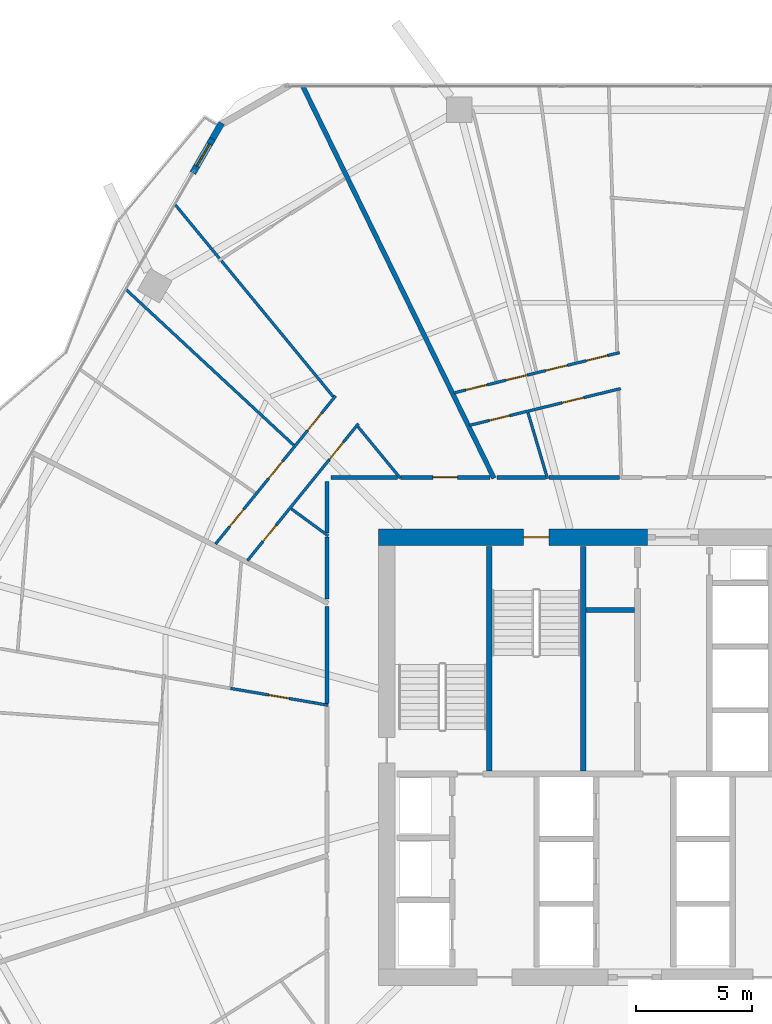
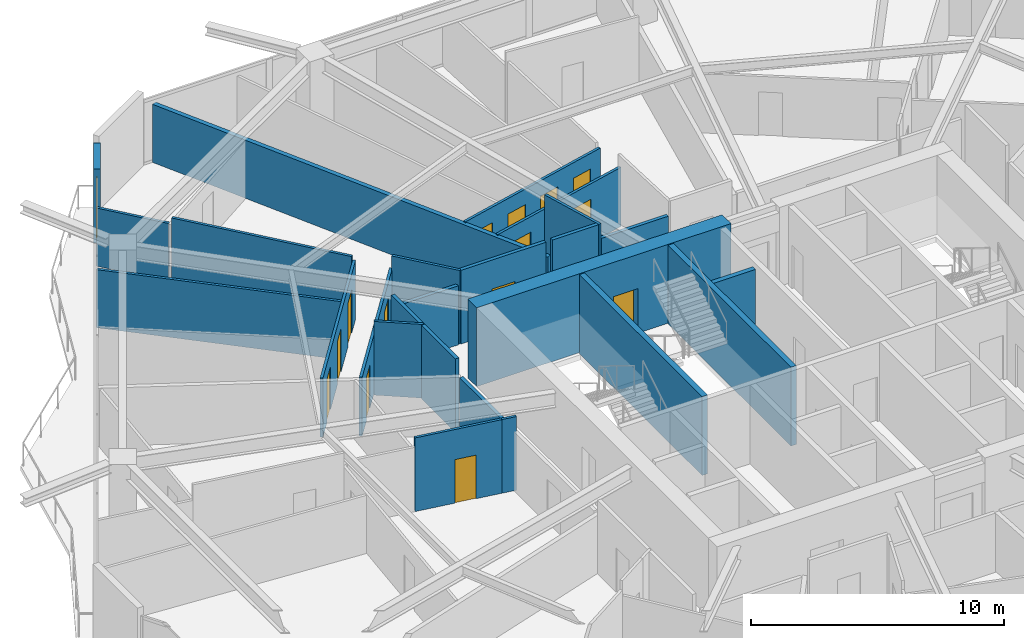
# One storey, part 26 of 32: 26 walls, 15 doors, 15 openings.
"""IFC4 building model written with IfcOpenShell, lengths in metres."""

from ifc_helpers import new_model, si_unit, direction, frame, frame_2d, origin, place, context, subcontext, project, spatial, rectangle, extrude, material, layer, layer_set, type_object, element, fill, save


model = new_model("IFC4")

# Units and contexts
model_context = context("Model", 3, precision=1e-05, world=origin(), true_north=direction((0.0, 1.0)))
body_context = subcontext(model_context, "Body", "Model", "MODEL_VIEW")
ifc_project = project(units=[si_unit("LENGTHUNIT", "METRE"), si_unit("AREAUNIT", "SQUARE_METRE"), si_unit("VOLUMEUNIT", "CUBIC_METRE"), si_unit("PLANEANGLEUNIT", "RADIAN"), si_unit("MASSUNIT", "GRAM", prefix="KILO")], contexts=[model_context])

# Site, building, storey
site_placement = place(None, origin())
site = spatial("IfcSite", under=ifc_project, at=site_placement, CompositionType="ELEMENT")
building_placement = place(site_placement, origin())
building = spatial("IfcBuilding", under=site, at=building_placement, Name="Zuhravey Tower", CompositionType="ELEMENT")
storey_placement = place(building_placement, frame((0.0, 0.0, 119.0)))
storey = spatial("IfcBuildingStorey", under=building, at=storey_placement, Name="L29", CompositionType="ELEMENT", Elevation=119.0)

# Wall, opening, door
ifc_material_1 = material(Name="Concrete C60/75", Category="concrete")
ifc_layer_1 = layer(ifc_material_1, 0.699951171875)
ifc_layer_set_1 = layer_set([ifc_layer_1], Name="Concrete C60/75")
wall_type_1 = type_object("IfcWallType", Name="Core Shear Wall 700", PredefinedType="SHEAR", material=ifc_layer_set_1)
wall_1_placement = place(storey_placement, frame((36.75, 41.5, 0.0), z_axis=(0.0, 0.0, 1.0), x_axis=(-1.0, 0.0, 0.0)))
wall_1 = element("IfcWall", 1, at=wall_1_placement, inside=storey, type_object=wall_type_1, Name="L29 North-West Core Shear Wall CW70", PredefinedType="SHEAR", context=body_context, shape_type="SweptSolid", body=[
    extrude(rectangle(XDim=11.60009765625, YDim=0.699951171875, at=frame_2d((5.800048828125, 0.0))), origin(), (0.0, 0.0, 1.0), 3.800048828125),
])
opening_1_placement = place(wall_1_placement, frame((4.25, 0.0, 0.0)))
opening_1 = element("IfcOpeningElement", 2, at=opening_1_placement, cuts=wall_1, Name="Opening STD1", PredefinedType="OPENING", context=body_context, shape_type="SweptSolid", body=[
    extrude(rectangle(XDim=1.10009765625, YDim=2.14990234375, at=frame_2d((0.550048828125, 1.074951171875))), frame((0.0, 0.362060546875, 0.0), z_axis=(0.0, -1.0, 0.0), x_axis=(1.0, 0.0, 0.0)), (0.0, 0.0, 1.0), 0.723876953125),
])
ifc_material_2 = material(Name="Galvanised fire-rated steel leaf", Category="steel")
door_type_1 = type_object("IfcDoorType", Name="Protected Stair Fire Door 1100x2150", OperationType="NOTDEFINED", PredefinedType="USERDEFINED", material=ifc_material_2)
door_1_placement = place(opening_1_placement, origin())
door_1 = element("IfcDoor", 3, at=door_1_placement, inside=storey, type_object=door_type_1, Name="L29 Stair ST3 Door", ObjectType="EXITDOOR", OperationType="SINGLE_SWING_LEFT", OverallHeight=2.14990234375, OverallWidth=1.10009765625, PredefinedType="USERDEFINED", context=body_context, shape_type="SweptSolid", body=[
    extrude(rectangle(XDim=1.10009765625, YDim=2.14990234375, at=frame_2d((0.550048828125, 1.074951171875))), frame((0.0, 0.02490234375, 0.0), z_axis=(0.0, -1.0, 0.0), x_axis=(1.0, 0.0, 0.0)), (0.0, 0.0, 1.0), 0.050048828125),
])
fill(opening_1, door_1)

ifc_material_3 = material(Name="Gypsum fire-rated stud partition")
ifc_layer_2 = layer(ifc_material_3, 0.159912109375)
ifc_layer_set_2 = layer_set([ifc_layer_2], Name="Gypsum fire-rated stud partition")
wall_type_2 = type_object("IfcWallType", Name="Corridor Fire Partition 160", PredefinedType="PARTITIONING", material=ifc_layer_set_2)
wall_2_placement = place(storey_placement, frame((29.954833984375, 44.080078125, 0.0), z_axis=(0.0, 0.0, 1.0), x_axis=(-1.0, 0.0, 0.0)))
wall_2 = element("IfcWall", 4, at=wall_2_placement, inside=storey, type_object=wall_type_2, Name="L29 IW16 Partition 032", PredefinedType="PARTITIONING", context=body_context, shape_type="SweptSolid", body=[
    extrude(rectangle(XDim=3.872802734375, YDim=0.159912109375, at=frame_2d((1.9365234375, 0.0))), origin(), (0.0, 0.0, 1.0), 3.550048828125),
])
opening_2_placement = place(wall_2_placement, frame((1.411376953125, 0.0, 0.0)))
opening_2 = element("IfcOpeningElement", 5, at=opening_2_placement, cuts=wall_2, Name="Opening APD1", PredefinedType="OPENING", context=body_context, shape_type="SweptSolid", body=[
    extrude(rectangle(XDim=1.050048828125, YDim=2.14990234375, at=frame_2d((0.52490234375, 1.074951171875))), frame((0.0, 0.092041015625, 0.0), z_axis=(0.0, -1.0, 0.0), x_axis=(1.0, 0.0, 0.0)), (0.0, 0.0, 1.0), 0.183837890625),
])
ifc_material_4 = material(Name="Solid-core oak fire-rated leaf")
door_type_2 = type_object("IfcDoorType", Name="Apartment Entrance Fire Door 1050x2150", OperationType="NOTDEFINED", PredefinedType="DOOR", material=ifc_material_4)
door_2_placement = place(opening_2_placement, frame((1.050048828125, 0.0, 0.0), z_axis=(0.0, 0.0, 1.0), x_axis=(-1.0, 0.0, 0.0)))
door_2 = element("IfcDoor", 6, at=door_2_placement, inside=storey, type_object=door_type_2, Name="L29 Door 032.1", OperationType="SINGLE_SWING_LEFT", OverallHeight=2.14990234375, OverallWidth=1.050048828125, PredefinedType="DOOR", context=body_context, shape_type="SweptSolid", body=[
    extrude(rectangle(XDim=1.050048828125, YDim=2.14990234375, at=frame_2d((0.52490234375, 1.074951171875))), frame((0.0, 0.02490234375, 0.0), z_axis=(0.0, -1.0, 0.0), x_axis=(1.0, 0.0, 0.0)), (0.0, 0.0, 1.0), 0.050048828125),
])
fill(opening_2, door_2)

# Walls
wall_3_placement = place(storey_placement, frame((35.548095703125, 44.080078125, 0.0), z_axis=(0.0, 0.0, 1.0), x_axis=(-1.0, 0.0, 0.0)))
element("IfcWall", 7, at=wall_3_placement, inside=storey, type_object=wall_type_2, Name="L29 IW16 Partition 116", PredefinedType="PARTITIONING", context=body_context, shape_type="SweptSolid", body=[
    extrude(rectangle(XDim=3.055908203125, YDim=0.159912109375, at=frame_2d((1.52783203125, 0.0))), origin(), (0.0, 0.0, 1.0), 2.85009765625),
])
wall_4_placement = place(storey_placement, frame((32.3505859375, 44.080078125, 0.0), z_axis=(0.0, 0.0, 1.0), x_axis=(-1.0, 0.0, 0.0)))
element("IfcWall", 8, at=wall_4_placement, inside=storey, type_object=wall_type_2, Name="L29 IW16 Partition 117", PredefinedType="PARTITIONING", context=body_context, shape_type="SweptSolid", body=[
    extrude(rectangle(XDim=2.09033203125, YDim=0.159912109375, at=frame_2d((1.045166015625, 0.0))), origin(), (0.0, 0.0, 1.0), 3.550048828125),
])
wall_5_placement = place(storey_placement, frame((25.968017578125, 44.080078125, 0.0), z_axis=(0.0, 0.0, 1.0), x_axis=(-1.0, 0.0, 0.0)))
element("IfcWall", 9, at=wall_5_placement, inside=storey, type_object=wall_type_2, Name="L29 IW16 Partition 118", PredefinedType="PARTITIONING", context=body_context, shape_type="SweptSolid", body=[
    extrude(rectangle(XDim=2.867919921875, YDim=0.159912109375, at=frame_2d((1.43408203125, 0.0))), origin(), (0.0, 0.0, 1.0), 2.85009765625),
])
wall_6_placement = place(storey_placement, frame((22.919921875, 43.89990234375, 0.0), z_axis=(0.0, 0.0, 1.0), x_axis=(0.0, -1.0, 0.0)))
element("IfcWall", 10, at=wall_6_placement, inside=storey, type_object=wall_type_2, Name="L29 IW16 Partition 119", PredefinedType="PARTITIONING", context=body_context, shape_type="SweptSolid", body=[
    extrude(rectangle(XDim=2.22314453125, YDim=0.159912109375, at=frame_2d((1.111572265625, 0.0))), origin(), (0.0, 0.0, 1.0), 3.550048828125),
])
wall_7_placement = place(storey_placement, frame((22.919921875, 41.508056640625, 0.0), z_axis=(0.0, 0.0, 1.0), x_axis=(0.0, -1.0, 0.0)))
element("IfcWall", 11, at=wall_7_placement, inside=storey, type_object=wall_type_2, Name="L29 IW16 Partition 120", PredefinedType="PARTITIONING", context=body_context, shape_type="SweptSolid", body=[
    extrude(rectangle(XDim=2.676513671875, YDim=0.159912109375, at=frame_2d((1.33837890625, 0.0))), origin(), (0.0, 0.0, 1.0), 3.550048828125),
])
wall_8_placement = place(storey_placement, frame((22.919921875, 38.4990234375, 0.0), z_axis=(0.0, 0.0, 1.0), x_axis=(0.0, -1.0, 0.0)))
element("IfcWall", 12, at=wall_8_placement, inside=storey, type_object=wall_type_2, Name="L29 IW16 Partition 121", PredefinedType="PARTITIONING", context=body_context, shape_type="SweptSolid", body=[
    extrude(rectangle(XDim=4.175537109375, YDim=0.159912109375, at=frame_2d((2.087890625, 0.0))), origin(), (0.0, 0.0, 1.0), 2.85009765625),
])

# Wall, opening, door
ifc_material_5 = material(Name="Precast concrete C40/50", Category="concrete")
ifc_layer_3 = layer(ifc_material_5, 0.280029296875)
ifc_layer_set_3 = layer_set([ifc_layer_3], Name="Precast concrete C40/50")
wall_type_3 = type_object("IfcWallType", Name="Crown Architectural Wall 280", PredefinedType="SOLIDWALL", material=ifc_layer_set_3)
wall_9_placement = place(storey_placement, frame((17.12353515625, 57.2216796875, 0.0), z_axis=(0.0, 0.0, 1.0), x_axis=(0.499923131819, 0.866069779101, 0.0)))
wall_9 = element("IfcWall", 13, at=wall_9_placement, inside=storey, type_object=wall_type_3, Name="L29 Face 3 Facade Pier EW28-1", PredefinedType="SOLIDWALL", context=body_context, shape_type="SweptSolid", body=[
    extrude(rectangle(XDim=1.790283203125, YDim=0.280029296875, at=frame_2d((0.89501953125, 0.0))), origin(), (0.0, 0.0, 1.0), 3.550048828125),
])
opening_3_placement = place(wall_9_placement, frame((0.344970703125, 0.0, 0.0)))
opening_3 = element("IfcOpeningElement", 14, at=opening_3_placement, cuts=wall_9, Name="Opening BLD1", PredefinedType="OPENING", context=body_context, shape_type="SweptSolid", body=[
    extrude(rectangle(XDim=1.10009765625, YDim=2.199951171875, at=frame_2d((0.550048828125, 1.10009765625))), frame((0.0, 0.152099609375, 0.0), z_axis=(0.0, -1.0, 0.0), x_axis=(1.0, 0.0, 0.0)), (0.0, 0.0, 1.0), 0.303955078125),
])
ifc_material_6 = material(Name="Thermally broken aluminium and low-E glass", Category="aluminium")
door_type_3 = type_object("IfcDoorType", Name="Balcony & Sky-Tray Glazed Door 1100x2200", OperationType="NOTDEFINED", PredefinedType="DOOR", material=ifc_material_6)
door_3_placement = place(opening_3_placement, frame((1.10009765625, 0.0, 0.0), z_axis=(0.0, 0.0, 1.0), x_axis=(-1.0, 0.0, 0.0)))
door_3 = element("IfcDoor", 15, at=door_3_placement, inside=storey, type_object=door_type_3, Name="L29 Face 3 Wave Balcony Door", OperationType="SINGLE_SWING_RIGHT", OverallHeight=2.199951171875, OverallWidth=1.10009765625, PredefinedType="DOOR", context=body_context, shape_type="SweptSolid", body=[
    extrude(rectangle(XDim=1.10009765625, YDim=2.199951171875, at=frame_2d((0.550048828125, 1.10009765625))), frame((0.0, 0.02490234375, 0.0), z_axis=(0.0, -1.0, 0.0), x_axis=(1.0, 0.0, 0.0)), (0.0, 0.0, 1.0), 0.050048828125),
])
fill(opening_3, door_3)

# Walls
wall_10_placement = place(storey_placement, frame((17.973388671875, 58.694091796875, 0.0), z_axis=(0.0, 0.0, 1.0), x_axis=(0.499927510798, 0.8660672514, 0.0)))
element("IfcWall", 16, at=wall_10_placement, inside=storey, type_object=wall_type_3, Name="L29 Face 3 Closure Pier EW28", PredefinedType="SOLIDWALL", context=body_context, shape_type="SweptSolid", body=[
    extrude(rectangle(XDim=0.7900390625, YDim=0.280029296875, at=frame_2d((0.39501953125, 0.0))), origin(), (0.0, 0.0, 1.0), 3.1220703125),
])
ifc_material_7 = material(Name="Concrete C50/60", Category="concrete")
ifc_layer_4 = layer(ifc_material_7, 0.25)
ifc_layer_set_4 = layer_set([ifc_layer_4], Name="Concrete C50/60")
wall_type_4 = type_object("IfcWallType", Name="Firefighting Shaft & Stair Wall 250", PredefinedType="SOLIDWALL", material=ifc_layer_set_4)
for number, where, z_axis, x_axis, name in (
    (17, (29.925048828125, 31.39990234375, 0.0), (0.0, 0.0, 1.0), (0.0, 1.0, 0.0), "L29 FW25 Shaft Wall 004"),
    (18, (33.97509765625, 31.39990234375, 0.0), (0.0, 0.0, 1.0), (0.0, 1.0, 0.0), "L29 FW25 Shaft Wall 005"),
):
    element("IfcWall", number, at=place(storey_placement, frame(where, z_axis=z_axis, x_axis=x_axis)), inside=storey, type_object=wall_type_4, Name=name, PredefinedType="SOLIDWALL", context=body_context, shape_type="SweptSolid", body=[
        extrude(rectangle(XDim=9.7001953125, YDim=0.25, at=frame_2d((4.85009765625, 0.0))), origin(), (0.0, 0.0, 1.0), 3.800048828125),
    ])
ifc_material_8 = material(Name="Gypsum double-stud party assembly")
ifc_layer_5 = layer(ifc_material_8, 0.199951171875)
ifc_layer_set_5 = layer_set([ifc_layer_5], Name="Gypsum double-stud party assembly")
wall_type_5 = type_object("IfcWallType", Name="Inter-Tenancy Party Wall 200", PredefinedType="PARTITIONING", material=ifc_layer_set_5)
wall_11_placement = place(storey_placement, frame((30.127685546875, 44.0400390625, 0.0), z_axis=(0.0, 0.0, 1.0), x_axis=(-0.438372268699, 0.898793499106, 0.0)))
element("IfcWall", 19, at=wall_11_placement, inside=storey, type_object=wall_type_5, Name="L29 IW20 Partition 080", PredefinedType="PARTITIONING", context=body_context, shape_type="SweptSolid", body=[
    extrude(rectangle(XDim=18.823486328125, YDim=0.199951171875, at=frame_2d((9.41162109375, 0.0))), origin(), (0.0, 0.0, 1.0), 2.800048828125),
])
ifc_material_9 = material(Name="Gypsum acoustic stud assembly")
ifc_layer_6 = layer(ifc_material_9, 0.219970703125)
ifc_layer_set_6 = layer_set([ifc_layer_6], Name="Gypsum acoustic stud assembly")
wall_type_6 = type_object("IfcWallType", Name="School Acoustic Compartment Wall 220", PredefinedType="PARTITIONING", material=ifc_layer_set_6)
wall_12_placement = place(storey_placement, frame((34.10791015625, 38.35009765625, 0.0), z_axis=(0.0, 0.0, 1.0), x_axis=(1.0, 0.0, 0.0)))
element("IfcWall", 20, at=wall_12_placement, inside=storey, type_object=wall_type_6, Name="L29 IW22 Partition 059", PredefinedType="PARTITIONING", context=body_context, shape_type="SweptSolid", body=[
    extrude(rectangle(XDim=2.083984375, YDim=0.219970703125, at=frame_2d((1.0419921875, 0.0))), origin(), (0.0, 0.0, 1.0), 3.550048828125),
])

# Wall, openings, doors
ifc_material_10 = material(Name="Gypsum metal-stud partition")
ifc_layer_7 = layer(ifc_material_10, 0.1201171875)
ifc_layer_set_7 = layer_set([ifc_layer_7], Name="Gypsum metal-stud partition")
wall_type_7 = type_object("IfcWallType", Name="Unit Internal Partition 120", PredefinedType="PARTITIONING", material=ifc_layer_set_7)
wall_13_placement = place(storey_placement, frame((35.594482421875, 47.913818359375, 0.0), z_axis=(0.0, 0.0, 1.0), x_axis=(-0.971707679159, -0.236186761404, 0.0)))
wall_13 = element("IfcWall", 21, at=wall_13_placement, inside=storey, type_object=wall_type_7, Name="L29 IW12 Partition 026", PredefinedType="PARTITIONING", context=body_context, shape_type="SweptSolid", body=[
    extrude(rectangle(XDim=6.728271484375, YDim=0.1201171875, at=frame_2d((3.3642578125, 0.0))), origin(), (0.0, 0.0, 1.0), 2.85009765625),
])
opening_4_placement = place(wall_13_placement, frame((1.644287109375, 0.0, 0.0)))
opening_4 = element("IfcOpeningElement", 22, at=opening_4_placement, cuts=wall_13, Name="Opening IND1", PredefinedType="OPENING", context=body_context, shape_type="SweptSolid", body=[
    extrude(rectangle(XDim=0.949951171875, YDim=2.10009765625, at=frame_2d((0.47509765625, 1.050048828125))), frame((0.0, 0.072021484375, 0.0), z_axis=(0.0, -1.0, 0.0), x_axis=(1.0, 0.0, 0.0)), (0.0, 0.0, 1.0), 0.14404296875),
])
opening_5_placement = place(wall_13_placement, frame((4.930908203125, 0.0, 0.0)))
opening_5 = element("IfcOpeningElement", 23, at=opening_5_placement, cuts=wall_13, Name="Opening WCD1", PredefinedType="OPENING", context=body_context, shape_type="SweptSolid", body=[
    extrude(rectangle(XDim=0.89990234375, YDim=2.10009765625, at=frame_2d((0.449951171875, 1.050048828125))), frame((0.0, 0.072021484375, 0.0), z_axis=(0.0, -1.0, 0.0), x_axis=(1.0, 0.0, 0.0)), (0.0, 0.0, 1.0), 0.14404296875),
])
ifc_material_11 = material(Name="Moisture-resistant timber leaf", Category="wood")
door_type_4 = type_object("IfcDoorType", Name="Bathroom & WC Internal Door 900x2100", OperationType="NOTDEFINED", PredefinedType="DOOR", material=ifc_material_11)
door_4_placement = place(opening_5_placement, origin())
door_4 = element("IfcDoor", 24, at=door_4_placement, inside=storey, type_object=door_type_4, Name="Apartment L29-02 Bathroom Door", OperationType="SINGLE_SWING_LEFT", OverallHeight=2.10009765625, OverallWidth=0.89990234375, PredefinedType="DOOR", context=body_context, shape_type="SweptSolid", body=[
    extrude(rectangle(XDim=0.89990234375, YDim=2.10009765625, at=frame_2d((0.449951171875, 1.050048828125))), frame((0.0, 0.02490234375, 0.0), z_axis=(0.0, -1.0, 0.0), x_axis=(1.0, 0.0, 0.0)), (0.0, 0.0, 1.0), 0.050048828125),
])
fill(opening_5, door_4)
ifc_material_12 = material(Name="Painted engineered timber leaf", Category="wood")
door_type_5 = type_object("IfcDoorType", Name="Internal Room & Bedroom Door 950x2100", OperationType="NOTDEFINED", PredefinedType="DOOR", material=ifc_material_12)
door_5_placement = place(opening_4_placement, origin())
door_5 = element("IfcDoor", 25, at=door_5_placement, inside=storey, type_object=door_type_5, Name="Apartment L29-02 Kitchen Door", OperationType="SINGLE_SWING_RIGHT", OverallHeight=2.10009765625, OverallWidth=0.949951171875, PredefinedType="DOOR", context=body_context, shape_type="SweptSolid", body=[
    extrude(rectangle(XDim=0.949951171875, YDim=2.10009765625, at=frame_2d((0.47509765625, 1.050048828125))), frame((0.0, 0.02490234375, 0.0), z_axis=(0.0, -1.0, 0.0), x_axis=(1.0, 0.0, 0.0)), (0.0, 0.0, 1.0), 0.050048828125),
])
fill(opening_4, door_5)

wall_14_placement = place(storey_placement, frame((35.545166015625, 49.466064453125, 0.0), z_axis=(0.0, 0.0, 1.0), x_axis=(-0.971712641416, -0.236166345002, 0.0)))
wall_14 = element("IfcWall", 26, at=wall_14_placement, inside=storey, type_object=wall_type_7, Name="L29 IW12 Partition 027", PredefinedType="PARTITIONING", context=body_context, shape_type="SweptSolid", body=[
    extrude(rectangle(XDim=7.365478515625, YDim=0.1201171875, at=frame_2d((3.6826171875, 0.0))), origin(), (0.0, 0.0, 1.0), 2.85009765625),
])
opening_6_placement = place(wall_14_placement, frame((0.531005859375, 0.0, 0.0)))
opening_6 = element("IfcOpeningElement", 27, at=opening_6_placement, cuts=wall_14, Name="Opening IND1", PredefinedType="OPENING", context=body_context, shape_type="SweptSolid", body=[
    extrude(rectangle(XDim=0.949951171875, YDim=2.10009765625, at=frame_2d((0.47509765625, 1.050048828125))), frame((0.0, 0.072021484375, 0.0), z_axis=(0.0, -1.0, 0.0), x_axis=(1.0, 0.0, 0.0)), (0.0, 0.0, 1.0), 0.14404296875),
])
opening_7_placement = place(wall_14_placement, frame((2.322021484375, 0.0, 0.0)))
opening_7 = element("IfcOpeningElement", 28, at=opening_7_placement, cuts=wall_14, Name="Opening IND1", PredefinedType="OPENING", context=body_context, shape_type="SweptSolid", body=[
    extrude(rectangle(XDim=0.949951171875, YDim=2.10009765625, at=frame_2d((0.47509765625, 1.050048828125))), frame((0.0, 0.072021484375, 0.0), z_axis=(0.0, -1.0, 0.0), x_axis=(1.0, 0.0, 0.0)), (0.0, 0.0, 1.0), 0.14404296875),
])
opening_8_placement = place(wall_14_placement, frame((4.093505859375, 0.0, 0.0)))
opening_8 = element("IfcOpeningElement", 29, at=opening_8_placement, cuts=wall_14, Name="Opening IND1", PredefinedType="OPENING", context=body_context, shape_type="SweptSolid", body=[
    extrude(rectangle(XDim=0.949951171875, YDim=2.10009765625, at=frame_2d((0.47509765625, 1.050048828125))), frame((0.0, 0.072021484375, 0.0), z_axis=(0.0, -1.0, 0.0), x_axis=(1.0, 0.0, 0.0)), (0.0, 0.0, 1.0), 0.14404296875),
])
opening_9_placement = place(wall_14_placement, frame((5.884521484375, 0.0, 0.0)))
opening_9 = element("IfcOpeningElement", 30, at=opening_9_placement, cuts=wall_14, Name="Opening IND1", PredefinedType="OPENING", context=body_context, shape_type="SweptSolid", body=[
    extrude(rectangle(XDim=0.949951171875, YDim=2.10009765625, at=frame_2d((0.47509765625, 1.050048828125))), frame((0.0, 0.072021484375, 0.0), z_axis=(0.0, -1.0, 0.0), x_axis=(1.0, 0.0, 0.0)), (0.0, 0.0, 1.0), 0.14404296875),
])
door_6_placement = place(opening_6_placement, frame((0.949951171875, 0.0, 0.0), z_axis=(0.0, 0.0, 1.0), x_axis=(-1.0, 0.0, 0.0)))
door_6 = element("IfcDoor", 31, at=door_6_placement, inside=storey, type_object=door_type_5, Name="Apartment L29-02 Bedroom 1 Door", OperationType="SINGLE_SWING_RIGHT", OverallHeight=2.10009765625, OverallWidth=0.949951171875, PredefinedType="DOOR", context=body_context, shape_type="SweptSolid", body=[
    extrude(rectangle(XDim=0.949951171875, YDim=2.10009765625, at=frame_2d((0.47509765625, 1.050048828125))), frame((0.0, 0.02490234375, 0.0), z_axis=(0.0, -1.0, 0.0), x_axis=(1.0, 0.0, 0.0)), (0.0, 0.0, 1.0), 0.050048828125),
])
fill(opening_6, door_6)
door_7_placement = place(opening_7_placement, frame((0.949951171875, 0.0, 0.0), z_axis=(0.0, 0.0, 1.0), x_axis=(-1.0, 0.0, 0.0)))
door_7 = element("IfcDoor", 32, at=door_7_placement, inside=storey, type_object=door_type_5, Name="Apartment L29-02 Bedroom 2 Door", OperationType="SINGLE_SWING_LEFT", OverallHeight=2.10009765625, OverallWidth=0.949951171875, PredefinedType="DOOR", context=body_context, shape_type="SweptSolid", body=[
    extrude(rectangle(XDim=0.949951171875, YDim=2.10009765625, at=frame_2d((0.47509765625, 1.050048828125))), frame((0.0, 0.02490234375, 0.0), z_axis=(0.0, -1.0, 0.0), x_axis=(1.0, 0.0, 0.0)), (0.0, 0.0, 1.0), 0.050048828125),
])
fill(opening_7, door_7)
door_8_placement = place(opening_8_placement, frame((0.949951171875, 0.0, 0.0), z_axis=(0.0, 0.0, 1.0), x_axis=(-1.0, 0.0, 0.0)))
door_8 = element("IfcDoor", 33, at=door_8_placement, inside=storey, type_object=door_type_5, Name="Apartment L29-02 Bedroom 3 Door", OperationType="SINGLE_SWING_RIGHT", OverallHeight=2.10009765625, OverallWidth=0.949951171875, PredefinedType="DOOR", context=body_context, shape_type="SweptSolid", body=[
    extrude(rectangle(XDim=0.949951171875, YDim=2.10009765625, at=frame_2d((0.47509765625, 1.050048828125))), frame((0.0, 0.02490234375, 0.0), z_axis=(0.0, -1.0, 0.0), x_axis=(1.0, 0.0, 0.0)), (0.0, 0.0, 1.0), 0.050048828125),
])
fill(opening_8, door_8)
door_9_placement = place(opening_9_placement, frame((0.949951171875, 0.0, 0.0), z_axis=(0.0, 0.0, 1.0), x_axis=(-1.0, 0.0, 0.0)))
door_9 = element("IfcDoor", 34, at=door_9_placement, inside=storey, type_object=door_type_5, Name="Apartment L29-02 Bedroom 4 Door", OperationType="SINGLE_SWING_LEFT", OverallHeight=2.10009765625, OverallWidth=0.949951171875, PredefinedType="DOOR", context=body_context, shape_type="SweptSolid", body=[
    extrude(rectangle(XDim=0.949951171875, YDim=2.10009765625, at=frame_2d((0.47509765625, 1.050048828125))), frame((0.0, 0.02490234375, 0.0), z_axis=(0.0, -1.0, 0.0), x_axis=(1.0, 0.0, 0.0)), (0.0, 0.0, 1.0), 0.050048828125),
])
fill(opening_9, door_9)

wall_15_placement = place(storey_placement, frame((24.274658203125, 46.401611328125, 0.0), z_axis=(0.0, 0.0, 1.0), x_axis=(-0.629602187024, -0.776917682959, 0.0)))
wall_15 = element("IfcWall", 35, at=wall_15_placement, inside=storey, type_object=wall_type_7, Name="L29 IW12 Partition 030", PredefinedType="PARTITIONING", context=body_context, shape_type="SweptSolid", body=[
    extrude(rectangle(XDim=7.613525390625, YDim=0.1201171875, at=frame_2d((3.806640625, 0.0))), origin(), (0.0, 0.0, 1.0), 2.85009765625),
])
opening_10_placement = place(wall_15_placement, frame((1.038330078125, 0.0, 0.0)))
opening_10 = element("IfcOpeningElement", 36, at=opening_10_placement, cuts=wall_15, Name="Opening IND1", PredefinedType="OPENING", context=body_context, shape_type="SweptSolid", body=[
    extrude(rectangle(XDim=0.949951171875, YDim=2.10009765625, at=frame_2d((0.47509765625, 1.050048828125))), frame((0.0, 0.072021484375, 0.0), z_axis=(0.0, -1.0, 0.0), x_axis=(1.0, 0.0, 0.0)), (0.0, 0.0, 1.0), 0.14404296875),
])
opening_11_placement = place(wall_15_placement, frame((5.648193359375, 0.0, 0.0)))
opening_11 = element("IfcOpeningElement", 37, at=opening_11_placement, cuts=wall_15, Name="Opening WCD1", PredefinedType="OPENING", context=body_context, shape_type="SweptSolid", body=[
    extrude(rectangle(XDim=0.89990234375, YDim=2.10009765625, at=frame_2d((0.449951171875, 1.050048828125))), frame((0.0, 0.072021484375, 0.0), z_axis=(0.0, -1.0, 0.0), x_axis=(1.0, 0.0, 0.0)), (0.0, 0.0, 1.0), 0.14404296875),
])
door_10_placement = place(opening_11_placement, origin())
door_10 = element("IfcDoor", 38, at=door_10_placement, inside=storey, type_object=door_type_4, Name="Apartment L29-03 Bathroom Door", OperationType="SINGLE_SWING_LEFT", OverallHeight=2.10009765625, OverallWidth=0.89990234375, PredefinedType="DOOR", context=body_context, shape_type="SweptSolid", body=[
    extrude(rectangle(XDim=0.89990234375, YDim=2.10009765625, at=frame_2d((0.449951171875, 1.050048828125))), frame((0.0, 0.02490234375, 0.0), z_axis=(0.0, -1.0, 0.0), x_axis=(1.0, 0.0, 0.0)), (0.0, 0.0, 1.0), 0.050048828125),
])
fill(opening_11, door_10)
door_11_placement = place(opening_10_placement, origin())
door_11 = element("IfcDoor", 39, at=door_11_placement, inside=storey, type_object=door_type_5, Name="Apartment L29-03 Kitchen Door", OperationType="SINGLE_SWING_RIGHT", OverallHeight=2.10009765625, OverallWidth=0.949951171875, PredefinedType="DOOR", context=body_context, shape_type="SweptSolid", body=[
    extrude(rectangle(XDim=0.949951171875, YDim=2.10009765625, at=frame_2d((0.47509765625, 1.050048828125))), frame((0.0, 0.02490234375, 0.0), z_axis=(0.0, -1.0, 0.0), x_axis=(1.0, 0.0, 0.0)), (0.0, 0.0, 1.0), 0.050048828125),
])
fill(opening_10, door_11)

wall_16_placement = place(storey_placement, frame((23.288818359375, 47.599365234375, 0.0), z_axis=(0.0, 0.0, 1.0), x_axis=(-0.629618678783, -0.776904318001, 0.0)))
wall_16 = element("IfcWall", 40, at=wall_16_placement, inside=storey, type_object=wall_type_7, Name="L29 IW12 Partition 031", PredefinedType="PARTITIONING", context=body_context, shape_type="SweptSolid", body=[
    extrude(rectangle(XDim=8.2333984375, YDim=0.1201171875, at=frame_2d((4.11669921875, 0.0))), origin(), (0.0, 0.0, 1.0), 2.85009765625),
])
opening_12_placement = place(wall_16_placement, frame((0.972412109375, 0.0, 0.0)))
opening_12 = element("IfcOpeningElement", 41, at=opening_12_placement, cuts=wall_16, Name="Opening IND1", PredefinedType="OPENING", context=body_context, shape_type="SweptSolid", body=[
    extrude(rectangle(XDim=0.949951171875, YDim=2.10009765625, at=frame_2d((0.47509765625, 1.050048828125))), frame((0.0, 0.072021484375, 0.0), z_axis=(0.0, -1.0, 0.0), x_axis=(1.0, 0.0, 0.0)), (0.0, 0.0, 1.0), 0.14404296875),
])
opening_13_placement = place(wall_16_placement, frame((3.6416015625, 0.0, 0.0)))
opening_13 = element("IfcOpeningElement", 42, at=opening_13_placement, cuts=wall_16, Name="Opening IND1", PredefinedType="OPENING", context=body_context, shape_type="SweptSolid", body=[
    extrude(rectangle(XDim=0.949951171875, YDim=2.10009765625, at=frame_2d((0.47509765625, 1.050048828125))), frame((0.0, 0.072021484375, 0.0), z_axis=(0.0, -1.0, 0.0), x_axis=(1.0, 0.0, 0.0)), (0.0, 0.0, 1.0), 0.14404296875),
])
opening_14_placement = place(wall_16_placement, frame((6.31103515625, 0.0, 0.0)))
opening_14 = element("IfcOpeningElement", 43, at=opening_14_placement, cuts=wall_16, Name="Opening IND1", PredefinedType="OPENING", context=body_context, shape_type="SweptSolid", body=[
    extrude(rectangle(XDim=0.949951171875, YDim=2.10009765625, at=frame_2d((0.47509765625, 1.050048828125))), frame((0.0, 0.072021484375, 0.0), z_axis=(0.0, -1.0, 0.0), x_axis=(1.0, 0.0, 0.0)), (0.0, 0.0, 1.0), 0.14404296875),
])
door_12_placement = place(opening_12_placement, frame((0.949951171875, 0.0, 0.0), z_axis=(0.0, 0.0, 1.0), x_axis=(-1.0, 0.0, 0.0)))
door_12 = element("IfcDoor", 44, at=door_12_placement, inside=storey, type_object=door_type_5, Name="Apartment L29-03 Bedroom 1 Door", OperationType="SINGLE_SWING_RIGHT", OverallHeight=2.10009765625, OverallWidth=0.949951171875, PredefinedType="DOOR", context=body_context, shape_type="SweptSolid", body=[
    extrude(rectangle(XDim=0.949951171875, YDim=2.10009765625, at=frame_2d((0.47509765625, 1.050048828125))), frame((0.0, 0.02490234375, 0.0), z_axis=(0.0, -1.0, 0.0), x_axis=(1.0, 0.0, 0.0)), (0.0, 0.0, 1.0), 0.050048828125),
])
fill(opening_12, door_12)
door_13_placement = place(opening_13_placement, frame((0.949951171875, 0.0, 0.0), z_axis=(0.0, 0.0, 1.0), x_axis=(-1.0, 0.0, 0.0)))
door_13 = element("IfcDoor", 45, at=door_13_placement, inside=storey, type_object=door_type_5, Name="Apartment L29-03 Bedroom 2 Door", OperationType="SINGLE_SWING_LEFT", OverallHeight=2.10009765625, OverallWidth=0.949951171875, PredefinedType="DOOR", context=body_context, shape_type="SweptSolid", body=[
    extrude(rectangle(XDim=0.949951171875, YDim=2.10009765625, at=frame_2d((0.47509765625, 1.050048828125))), frame((0.0, 0.02490234375, 0.0), z_axis=(0.0, -1.0, 0.0), x_axis=(1.0, 0.0, 0.0)), (0.0, 0.0, 1.0), 0.050048828125),
])
fill(opening_13, door_13)
door_14_placement = place(opening_14_placement, frame((0.949951171875, 0.0, 0.0), z_axis=(0.0, 0.0, 1.0), x_axis=(-1.0, 0.0, 0.0)))
door_14 = element("IfcDoor", 46, at=door_14_placement, inside=storey, type_object=door_type_5, Name="Apartment L29-03 Bedroom 3 Door", OperationType="SINGLE_SWING_RIGHT", OverallHeight=2.10009765625, OverallWidth=0.949951171875, PredefinedType="DOOR", context=body_context, shape_type="SweptSolid", body=[
    extrude(rectangle(XDim=0.949951171875, YDim=2.10009765625, at=frame_2d((0.47509765625, 1.050048828125))), frame((0.0, 0.02490234375, 0.0), z_axis=(0.0, -1.0, 0.0), x_axis=(1.0, 0.0, 0.0)), (0.0, 0.0, 1.0), 0.050048828125),
])
fill(opening_14, door_14)

# Wall, opening, door
wall_17_placement = place(storey_placement, frame((22.35009765625, 34.352783203125, 0.0), z_axis=(0.0, 0.0, 1.0), x_axis=(-0.985463207412, 0.169888983862, 0.0)))
wall_17 = element("IfcWall", 47, at=wall_17_placement, inside=storey, type_object=wall_type_7, Name="L29 IW12 Partition 034", PredefinedType="PARTITIONING", context=body_context, shape_type="SweptSolid", body=[
    extrude(rectangle(XDim=3.647216796875, YDim=0.1201171875, at=frame_2d((1.82373046875, 0.0))), origin(), (0.0, 0.0, 1.0), 3.550048828125),
])
opening_15_placement = place(wall_17_placement, frame((1.081787109375, 0.0, 0.0)))
opening_15 = element("IfcOpeningElement", 48, at=opening_15_placement, cuts=wall_17, Name="Opening WCD1", PredefinedType="OPENING", context=body_context, shape_type="SweptSolid", body=[
    extrude(rectangle(XDim=0.89990234375, YDim=2.10009765625, at=frame_2d((0.449951171875, 1.050048828125))), frame((0.0, 0.072021484375, 0.0), z_axis=(0.0, -1.0, 0.0), x_axis=(1.0, 0.0, 0.0)), (0.0, 0.0, 1.0), 0.14404296875),
])
door_15_placement = place(opening_15_placement, frame((0.89990234375, 0.0, 0.0), z_axis=(0.0, 0.0, 1.0), x_axis=(-1.0, 0.0, 0.0)))
door_15 = element("IfcDoor", 49, at=door_15_placement, inside=storey, type_object=door_type_4, Name="Apartment L29-04 Bathroom Door", OperationType="SINGLE_SWING_RIGHT", OverallHeight=2.10009765625, OverallWidth=0.89990234375, PredefinedType="DOOR", context=body_context, shape_type="SweptSolid", body=[
    extrude(rectangle(XDim=0.89990234375, YDim=2.10009765625, at=frame_2d((0.449951171875, 1.050048828125))), frame((0.0, 0.02490234375, 0.0), z_axis=(0.0, -1.0, 0.0), x_axis=(1.0, 0.0, 0.0)), (0.0, 0.0, 1.0), 0.050048828125),
])
fill(opening_15, door_15)

# Walls
wall_18_placement = place(storey_placement, frame((32.436279296875, 44.030029296875, 0.0), z_axis=(0.0, 0.0, 1.0), x_axis=(-0.284043451939, 0.958811408678, 0.0)))
element("IfcWall", 50, at=wall_18_placement, inside=storey, type_object=wall_type_7, Name="L29 IW12 Partition 073", PredefinedType="PARTITIONING", context=body_context, shape_type="SweptSolid", body=[
    extrude(rectangle(XDim=2.963623046875, YDim=0.1201171875, at=frame_2d((1.48193359375, 0.0))), origin(), (0.0, 0.0, 1.0), 3.550048828125),
])
wall_19_placement = place(storey_placement, frame((22.969970703125, 41.555908203125, 0.0), z_axis=(0.0, 0.0, 1.0), x_axis=(-0.806432554287, 0.591326082113, 0.0)))
element("IfcWall", 51, at=wall_19_placement, inside=storey, type_object=wall_type_7, Name="L29 IW12 Partition 081", PredefinedType="PARTITIONING", context=body_context, shape_type="SweptSolid", body=[
    extrude(rectangle(XDim=1.971435546875, YDim=0.1201171875, at=frame_2d((0.98583984375, 0.0))), origin(), (0.0, 0.0, 1.0), 3.550048828125),
])
wall_20_placement = place(storey_placement, frame((21.479248046875, 45.474609375, 0.0), z_axis=(0.0, 0.0, 1.0), x_axis=(-0.733013816474, 0.680213749389, 0.0)))
element("IfcWall", 52, at=wall_20_placement, inside=storey, type_object=wall_type_7, Name="L29 IW12 Partition 082", PredefinedType="PARTITIONING", context=body_context, shape_type="SweptSolid", body=[
    extrude(rectangle(XDim=9.904296875, YDim=0.1201171875, at=frame_2d((4.9521484375, 0.0))), origin(), (0.0, 0.0, 1.0), 2.800048828125),
])
wall_21_placement = place(storey_placement, frame((26.08203125, 44.048583984375, 0.0), z_axis=(0.0, 0.0, 1.0), x_axis=(-0.635546545523, 0.772062554767, 0.0)))
element("IfcWall", 53, at=wall_21_placement, inside=storey, type_object=wall_type_7, Name="L29 IW12 Partition 084", PredefinedType="PARTITIONING", context=body_context, shape_type="SweptSolid", body=[
    extrude(rectangle(XDim=2.875732421875, YDim=0.1201171875, at=frame_2d((1.43798828125, 0.0))), origin(), (0.0, 0.0, 1.0), 3.550048828125),
])
wall_22_placement = place(storey_placement, frame((23.180419921875, 47.57373046875, 0.0), z_axis=(0.0, 0.0, 1.0), x_axis=(-0.635541406611, 0.772066784989, 0.0)))
element("IfcWall", 54, at=wall_22_placement, inside=storey, type_object=wall_type_7, Name="L29 IW12 Partition 085", PredefinedType="PARTITIONING", context=body_context, shape_type="SweptSolid", body=[
    extrude(rectangle(XDim=7.585693359375, YDim=0.1201171875, at=frame_2d((3.79296875, 0.0))), origin(), (0.0, 0.0, 1.0), 3.10009765625),
])
wall_23_placement = place(storey_placement, frame((18.272216796875, 53.535888671875, 0.0), z_axis=(0.0, 0.0, 1.0), x_axis=(-0.635518574301, 0.772085579271, 0.0)))
element("IfcWall", 55, at=wall_23_placement, inside=storey, type_object=wall_type_7, Name="L29 IW12 Partition 086", PredefinedType="PARTITIONING", context=body_context, shape_type="SweptSolid", body=[
    extrude(rectangle(XDim=3.0390625, YDim=0.1201171875, at=frame_2d((1.51953125, 0.0))), origin(), (0.0, 0.0, 1.0), 2.800048828125),
])
wall_24_placement = place(storey_placement, frame((22.964599609375, 34.246826171875, 0.0), z_axis=(0.0, 0.0, 1.0), x_axis=(-0.985457855144, 0.169920027466, 0.0)))
element("IfcWall", 56, at=wall_24_placement, inside=storey, type_object=wall_type_7, Name="L29 IW12 Partition 089", PredefinedType="PARTITIONING", context=body_context, shape_type="SweptSolid", body=[
    extrude(rectangle(XDim=0.62353515625, YDim=0.1201171875, at=frame_2d((0.311767578125, 0.0))), origin(), (0.0, 0.0, 1.0), 3.550048828125),
])

save(model, "model.ifc")
